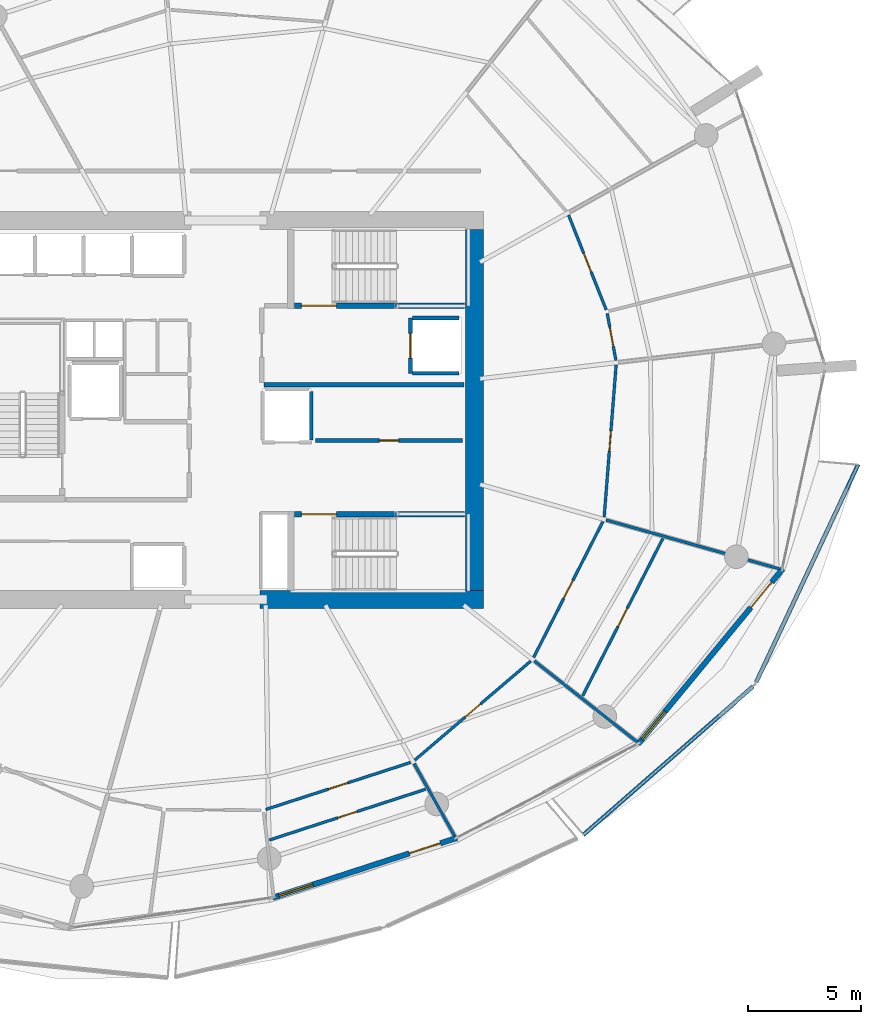
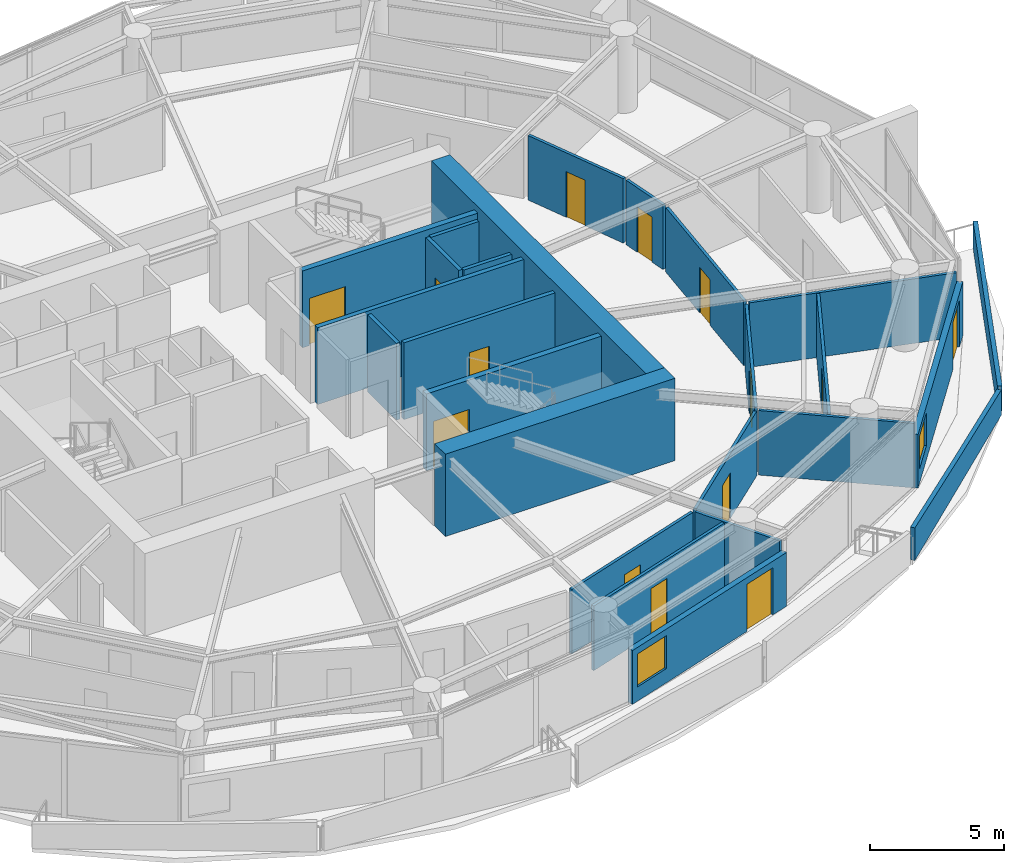
# One storey, part 13 of 20: 25 walls, 14 doors, 2 windows, 16 openings.
"""IFC4 building model written with IfcOpenShell, lengths in metres."""

from ifc_helpers import new_model, si_unit, direction, frame, frame_2d, origin, place, context, subcontext, project, spatial, polyline, rectangle, outline, extrude, material, layer, layer_set, type_object, element, fill, save


model = new_model("IFC4")

# Units and contexts
model_context = context("Model", 3, precision=1e-05, world=origin(), true_north=direction((0.0, 1.0)))
body_context = subcontext(model_context, "Body", "Model", "MODEL_VIEW")
ifc_project = project(units=[si_unit("LENGTHUNIT", "METRE"), si_unit("AREAUNIT", "SQUARE_METRE"), si_unit("VOLUMEUNIT", "CUBIC_METRE"), si_unit("PLANEANGLEUNIT", "RADIAN"), si_unit("MASSUNIT", "GRAM", prefix="KILO")], contexts=[model_context])

# Site, building, storey
site_placement = place(None, origin())
site = spatial("IfcSite", under=ifc_project, at=site_placement, CompositionType="ELEMENT")
building_placement = place(site_placement, origin())
building = spatial("IfcBuilding", under=site, at=building_placement, Name="Kazma Halo Residences", CompositionType="ELEMENT")
storey_placement = place(building_placement, frame((0.0, 0.0, 169.050048828125)))
storey = spatial("IfcBuildingStorey", under=building, at=storey_placement, Name="L42", CompositionType="ELEMENT", Elevation=169.050048828125)

# Walls
ifc_material_1 = material(Name="White Concrete C50/60 Balustrade", Category="concrete")
ifc_layer_1 = layer(ifc_material_1, 0.179931640625)
ifc_layer_set_1 = layer_set([ifc_layer_1], Name="White Concrete C50/60 Balustrade")
wall_type_1 = type_object("IfcWallType", Name="WL-BAL-WAVE-180", PredefinedType="PARAPET", material=ifc_layer_set_1)
wall_1_placement = place(storey_placement, frame((64.28759765625, 23.1640625, 0.0), z_axis=(0.0, 0.0, 1.0), x_axis=(0.752617556845, 0.658457905358, 0.0)))
element("IfcWall", 1, at=wall_1_placement, inside=storey, type_object=wall_type_1, Name="L42 white wave balustrade wall SE.1", PredefinedType="PARAPET", context=body_context, shape_type="SweptSolid", body=[
    extrude(outline(polyline([(0.0, 0.0), (9.99267578125, 0.0), (9.992919921875, 1.14794921875), (4.99658203125, 1.283935546875), (0.0, 1.48291015625), (0.0, 0.0)])), frame((0.0, 0.08984375, 0.0), z_axis=(0.0, -1.0, 0.0), x_axis=(1.0, 0.0, 0.0)), (0.0, 0.0, 1.0), 0.179931640625),
])
wall_2_placement = place(storey_placement, frame((71.94970703125, 29.931640625, 0.0), z_axis=(0.0, 0.0, 1.0), x_axis=(0.424190329226, 0.905573058671, 0.0)))
element("IfcWall", 2, at=wall_2_placement, inside=storey, type_object=wall_type_1, Name="L42 white wave balustrade wall SE.2", PredefinedType="PARAPET", context=body_context, shape_type="SweptSolid", body=[
    extrude(outline(polyline([(0.0, 0.0), (10.6591796875, 0.0), (10.658935546875, 1.223876953125), (5.32958984375, 1.126953125), (0.0, 1.14794921875), (0.0, 0.0)])), frame((0.0, 0.08984375, 0.0), z_axis=(0.0, -1.0, 0.0), x_axis=(1.0, 0.0, 0.0)), (0.0, 0.0, 1.0), 0.179931640625),
])
ifc_material_2 = material(Name="Concrete C80/95", Category="concrete")
ifc_layer_2 = layer(ifc_material_2, 0.800048828125)
ifc_layer_set_2 = layer_set([ifc_layer_2], Name="Concrete C80/95")
wall_type_2 = type_object("IfcWallType", Name="WL-CORE-800", PredefinedType="SHEAR", material=ifc_layer_set_2)
wall_3_placement = place(storey_placement, frame((49.949951171875, 33.60009765625, 0.0), z_axis=(0.0, 0.0, 1.0), x_axis=(1.0, 0.0, 0.0)))
element("IfcWall", 3, at=wall_3_placement, inside=storey, type_object=wall_type_2, Name="L42 central core shear wall SE", PredefinedType="SHEAR", context=body_context, shape_type="SweptSolid", body=[
    extrude(rectangle(XDim=9.900146484375, YDim=0.800048828125, at=frame_2d((4.9501953125, 0.0))), origin(), (0.0, 0.0, 1.0), 3.75),
])
wall_4_placement = place(storey_placement, frame((59.449951171875, 34.0, 0.0), z_axis=(0.0, 0.0, 1.0), x_axis=(0.0, 1.0, 0.0)))
element("IfcWall", 4, at=wall_4_placement, inside=storey, type_object=wall_type_2, Name="L42 central core shear wall E", PredefinedType="SHEAR", context=body_context, shape_type="SweptSolid", body=[
    extrude(rectangle(XDim=16.0, YDim=0.800048828125, at=frame_2d((8.0, 0.0))), origin(), (0.0, 0.0, 1.0), 3.75),
])

# Wall, openings, door, window
ifc_material_3 = material(Name="Insulated Pale-Metal Composite Wall")
ifc_layer_3 = layer(ifc_material_3, 0.239990234375)
ifc_layer_set_3 = layer_set([ifc_layer_3], Name="Insulated Pale-Metal Composite Wall")
wall_type_3 = type_object("IfcWallType", Name="WL-EXT-HOST-240", PredefinedType="SOLIDWALL", material=ifc_layer_set_3)
wall_5_placement = place(storey_placement, frame((50.510009765625, 20.375732421875, 0.0), z_axis=(0.0, 0.0, 1.0), x_axis=(0.951046390632, 0.309048156224, 0.0)))
wall_5 = element("IfcWall", 5, at=wall_5_placement, inside=storey, type_object=wall_type_3, Name="L42 exterior terrace-access wall B12", PredefinedType="SOLIDWALL", context=body_context, shape_type="SweptSolid", body=[
    extrude(rectangle(XDim=8.590087890625, YDim=0.239990234375, at=frame_2d((4.294921875, 0.0))), origin(), (0.0, 0.0, 1.0), 2.449951171875),
])
opening_1_placement = place(wall_5_placement, frame((6.370361328125, 0.0, 0.0)))
opening_1 = element("IfcOpeningElement", 6, at=opening_1_placement, cuts=wall_5, Name="Opening DTR-1600", PredefinedType="OPENING", context=body_context, shape_type="SweptSolid", body=[
    extrude(rectangle(XDim=1.449951171875, YDim=2.14990234375, at=frame_2d((0.72509765625, 1.074951171875))), frame((0.0, 0.1298828125, 0.0), z_axis=(0.0, -1.0, 0.0), x_axis=(1.0, 0.0, 0.0)), (0.0, 0.0, 1.0), 0.260009765625),
])
opening_2_placement = place(wall_5_placement, frame((0.280029296875, 0.0, 0.64990234375)))
opening_2 = element("IfcOpeningElement", 7, at=opening_2_placement, cuts=wall_5, Name="Opening W-1800", PredefinedType="OPENING", context=body_context, shape_type="SweptSolid", body=[
    extrude(rectangle(XDim=1.60009765625, YDim=1.5, at=frame_2d((0.800048828125, 0.75))), frame((0.0, 0.1298828125, 0.0), z_axis=(0.0, -1.0, 0.0), x_axis=(1.0, 0.0, 0.0)), (0.0, 0.0, 1.0), 0.260009765625),
])
ifc_material_4 = material(Name="Aluminium AW-6063 T6 Double-Glazed Terrace Door", Category="aluminium")
door_type_1 = type_object("IfcDoorType", Name="DR-EXT-TERR-1600", OperationType="NOTDEFINED", PredefinedType="DOOR", material=ifc_material_4)
door_1_placement = place(opening_1_placement, origin())
door_1 = element("IfcDoor", 8, at=door_1_placement, inside=storey, type_object=door_type_1, Name="L42 B12 balcony terrace door", OperationType="DOUBLE_DOOR_SLIDING", OverallHeight=2.14990234375, OverallWidth=1.449951171875, PredefinedType="DOOR", context=body_context, shape_type="SweptSolid", body=[
    extrude(rectangle(XDim=1.449951171875, YDim=2.14990234375, at=frame_2d((0.72509765625, 1.074951171875))), frame((0.0, 0.02490234375, 0.0), z_axis=(0.0, -1.0, 0.0), x_axis=(1.0, 0.0, 0.0)), (0.0, 0.0, 1.0), 0.050048828125),
])
fill(opening_1, door_1)
ifc_material_5 = material(Name="Clear Triple-Silver Low-E Glass in Aluminium AW-6063 T6 Frame", Category="aluminium")
window_type = type_object("IfcWindowType", Name="WIN-RES-1800", PartitioningType="DOUBLE_PANEL_VERTICAL", PredefinedType="WINDOW", material=ifc_material_5)
window_1_placement = place(opening_2_placement, origin())
window_1 = element("IfcWindow", 9, at=window_1_placement, inside=storey, type_object=window_type, Name="L42 B12 apartment window", OverallHeight=1.5, OverallWidth=1.60009765625, PartitioningType="SINGLE_PANEL", PredefinedType="WINDOW", context=body_context, shape_type="SweptSolid", body=[
    extrude(rectangle(XDim=1.60009765625, YDim=1.5, at=frame_2d((0.800048828125, 0.75))), frame((0.0, 0.030029296875, 0.0), z_axis=(0.0, -1.0, 0.0), x_axis=(1.0, 0.0, 0.0)), (0.0, 0.0, 1.0), 0.06005859375),
])
fill(opening_2, window_1)

wall_6_placement = place(storey_placement, frame((66.70947265625, 27.18701171875, 0.0), z_axis=(0.0, 0.0, 1.0), x_axis=(0.636771922292, 0.77105221547, 0.0)))
wall_6 = element("IfcWall", 10, at=wall_6_placement, inside=storey, type_object=wall_type_3, Name="L42 exterior terrace-access wall B14", PredefinedType="SOLIDWALL", context=body_context, shape_type="SweptSolid", body=[
    extrude(rectangle(XDim=10.08154296875, YDim=0.239990234375, at=frame_2d((5.040771484375, 0.0))), origin(), (0.0, 0.0, 1.0), 2.449951171875),
])
opening_3_placement = place(wall_6_placement, frame((7.861572265625, 0.0, 0.0)))
opening_3 = element("IfcOpeningElement", 11, at=opening_3_placement, cuts=wall_6, Name="Opening DTR-1600", PredefinedType="OPENING", context=body_context, shape_type="SweptSolid", body=[
    extrude(rectangle(XDim=1.449951171875, YDim=2.14990234375, at=frame_2d((0.72509765625, 1.074951171875))), frame((0.0, 0.1298828125, 0.0), z_axis=(0.0, -1.0, 0.0), x_axis=(1.0, 0.0, 0.0)), (0.0, 0.0, 1.0), 0.260009765625),
])
opening_4_placement = place(wall_6_placement, frame((0.280029296875, 0.0, 0.64990234375)))
opening_4 = element("IfcOpeningElement", 12, at=opening_4_placement, cuts=wall_6, Name="Opening W-1800", PredefinedType="OPENING", context=body_context, shape_type="SweptSolid", body=[
    extrude(rectangle(XDim=1.60009765625, YDim=1.5, at=frame_2d((0.800048828125, 0.75))), frame((0.0, 0.1298828125, 0.0), z_axis=(0.0, -1.0, 0.0), x_axis=(1.0, 0.0, 0.0)), (0.0, 0.0, 1.0), 0.260009765625),
])
door_2_placement = place(opening_3_placement, origin())
door_2 = element("IfcDoor", 13, at=door_2_placement, inside=storey, type_object=door_type_1, Name="L42 B14 balcony terrace door", OperationType="DOUBLE_DOOR_SLIDING", OverallHeight=2.14990234375, OverallWidth=1.449951171875, PredefinedType="DOOR", context=body_context, shape_type="SweptSolid", body=[
    extrude(rectangle(XDim=1.449951171875, YDim=2.14990234375, at=frame_2d((0.72509765625, 1.074951171875))), frame((0.0, 0.02490234375, 0.0), z_axis=(0.0, -1.0, 0.0), x_axis=(1.0, 0.0, 0.0)), (0.0, 0.0, 1.0), 0.050048828125),
])
fill(opening_3, door_2)
window_2_placement = place(opening_4_placement, origin())
window_2 = element("IfcWindow", 14, at=window_2_placement, inside=storey, type_object=window_type, Name="L42 B14 apartment window", OverallHeight=1.5, OverallWidth=1.60009765625, PartitioningType="SINGLE_PANEL", PredefinedType="WINDOW", context=body_context, shape_type="SweptSolid", body=[
    extrude(rectangle(XDim=1.60009765625, YDim=1.5, at=frame_2d((0.800048828125, 0.75))), frame((0.0, 0.030029296875, 0.0), z_axis=(0.0, -1.0, 0.0), x_axis=(1.0, 0.0, 0.0)), (0.0, 0.0, 1.0), 0.06005859375),
])
fill(opening_4, window_2)

# Wall, opening, door
ifc_material_6 = material(Name="Fire-Rated Blockwork Masonry", Category="masonry")
ifc_layer_4 = layer(ifc_material_6, 0.199951171875)
ifc_layer_set_4 = layer_set([ifc_layer_4], Name="Fire-Rated Blockwork Masonry")
wall_type_4 = type_object("IfcWallType", Name="WL-FLB-200", PredefinedType="PARTITIONING", material=ifc_layer_set_4)
wall_7_placement = place(storey_placement, frame((56.6201171875, 46.080078125, 0.0), z_axis=(0.0, 0.0, 1.0), x_axis=(0.0, -1.0, 0.0)))
wall_7 = element("IfcWall", 15, at=wall_7_placement, inside=storey, type_object=wall_type_4, Name="L42 lift shaft FL-02 front wall", PredefinedType="PARTITIONING", context=body_context, shape_type="SweptSolid", body=[
    extrude(rectangle(XDim=2.4599609375, YDim=0.159912109375, at=frame_2d((1.22998046875, 0.0))), origin(), (0.0, 0.0, 1.0), 3.5),
])
opening_5_placement = place(wall_7_placement, frame((0.679931640625, 0.0, 0.0)))
opening_5 = element("IfcOpeningElement", 16, at=opening_5_placement, cuts=wall_7, Name="Opening LD-FL-02", PredefinedType="OPENING", context=body_context, shape_type="SweptSolid", body=[
    extrude(rectangle(XDim=1.10009765625, YDim=2.10009765625, at=frame_2d((0.550048828125, 1.050048828125))), frame((0.0, 0.08984375, 0.0), z_axis=(0.0, -1.0, 0.0), x_axis=(1.0, 0.0, 0.0)), (0.0, 0.0, 1.0), 0.179931640625),
])
ifc_material_7 = material(Name="Stainless Steel Fire-Rated", Category="steel")
door_type_2 = type_object("IfcDoorType", Name="DR-LIFT-SLD-1100", OperationType="DOUBLE_DOOR_SLIDING", PredefinedType="DOOR", material=ifc_material_7)
door_3_placement = place(opening_5_placement, origin())
door_3 = element("IfcDoor", 17, at=door_3_placement, inside=storey, type_object=door_type_2, Name="L42 lift FL-02 sliding landing door", OperationType="DOUBLE_DOOR_SLIDING", OverallHeight=2.10009765625, OverallWidth=1.10009765625, PredefinedType="DOOR", context=body_context, shape_type="SweptSolid", body=[
    extrude(rectangle(XDim=1.10009765625, YDim=2.10009765625, at=frame_2d((0.550048828125, 1.050048828125))), frame((0.0, 0.02490234375, 0.0), z_axis=(0.0, -1.0, 0.0), x_axis=(1.0, 0.0, 0.0)), (0.0, 0.0, 1.0), 0.050048828125),
])
fill(opening_5, door_3)

# Walls
for number, where, z_axis, x_axis, name in (
    (18, (56.719970703125, 46.080078125, 0.0), (0.0, 0.0, 1.0), (1.0, 0.0, 0.0), "L42 lift shaft FL-02 side wall N"),
    (19, (56.719970703125, 43.6201171875, 0.0), (0.0, 0.0, 1.0), (1.0, 0.0, 0.0), "L42 lift shaft FL-02 side wall S"),
):
    element("IfcWall", number, at=place(storey_placement, frame(where, z_axis=z_axis, x_axis=x_axis)), inside=storey, type_object=wall_type_4, Name=name, PredefinedType="PARTITIONING", context=body_context, shape_type="SweptSolid", body=[
        extrude(rectangle(XDim=2.06005859375, YDim=0.159912109375, at=frame_2d((1.030029296875, 0.0))), origin(), (0.0, 0.0, 1.0), 3.5),
    ])
wall_8_placement = place(storey_placement, frame((52.22998046875, 40.669921875, 0.0), z_axis=(0.0, 0.0, 1.0), x_axis=(0.0, 1.0, 0.0)))
element("IfcWall", 20, at=wall_8_placement, inside=storey, type_object=wall_type_4, Name="L42 lift shaft SV-01 side wall E", PredefinedType="PARTITIONING", context=body_context, shape_type="SweptSolid", body=[
    extrude(rectangle(XDim=2.16015625, YDim=0.159912109375, at=frame_2d((1.080078125, 0.0))), origin(), (0.0, 0.0, 1.0), 3.5),
])

# Wall, opening, door
wall_9_placement = place(storey_placement, frame((52.419921875, 40.64990234375, 0.0), z_axis=(0.0, 0.0, 1.0), x_axis=(1.0, 0.0, 0.0)))
wall_9 = element("IfcWall", 21, at=wall_9_placement, inside=storey, type_object=wall_type_4, Name="L42 core east reserve wall", PredefinedType="PARTITIONING", context=body_context, shape_type="SweptSolid", body=[
    extrude(rectangle(XDim=6.5, YDim=0.179931640625, at=frame_2d((3.25, 0.0))), origin(), (0.0, 0.0, 1.0), 3.5),
])
opening_6_placement = place(wall_9_placement, frame((2.824951171875, 0.0, 0.0)))
opening_6 = element("IfcOpeningElement", 22, at=opening_6_placement, cuts=wall_9, Name="Opening DS-850", PredefinedType="OPENING", context=body_context, shape_type="SweptSolid", body=[
    extrude(rectangle(XDim=0.85009765625, YDim=2.06005859375, at=frame_2d((0.425048828125, 1.030029296875))), frame((0.0, 0.099853515625, 0.0), z_axis=(0.0, -1.0, 0.0), x_axis=(1.0, 0.0, 0.0)), (0.0, 0.0, 1.0), 0.199951171875),
])
ifc_material_8 = material(Name="Painted Steel Access Leaf", Category="steel")
door_type_3 = type_object("IfcDoorType", Name="DR-SVC-850", OperationType="NOTDEFINED", PredefinedType="DOOR", material=ifc_material_8)
door_4_placement = place(opening_6_placement, origin())
door_4 = element("IfcDoor", 23, at=door_4_placement, inside=storey, type_object=door_type_3, Name="L42 core east reserve door", OperationType="SINGLE_SWING_LEFT", OverallHeight=2.06005859375, OverallWidth=0.85009765625, PredefinedType="DOOR", context=body_context, shape_type="SweptSolid", body=[
    extrude(rectangle(XDim=0.85009765625, YDim=2.06005859375, at=frame_2d((0.425048828125, 1.030029296875))), frame((0.0, 0.02490234375, 0.0), z_axis=(0.0, -1.0, 0.0), x_axis=(1.0, 0.0, 0.0)), (0.0, 0.0, 1.0), 0.050048828125),
])
fill(opening_6, door_4)

# Wall
wall_10_placement = place(storey_placement, frame((50.1201171875, 43.1201171875, 0.0), z_axis=(0.0, 0.0, 1.0), x_axis=(1.0, 0.0, 0.0)))
element("IfcWall", 24, at=wall_10_placement, inside=storey, type_object=wall_type_4, Name="L42 east firefighting lobby south smoke wall", PredefinedType="PARTITIONING", context=body_context, shape_type="SweptSolid", body=[
    extrude(rectangle(XDim=8.8798828125, YDim=0.199951171875, at=frame_2d((4.43994140625, 0.0))), origin(), (0.0, 0.0, 1.0), 3.5),
])

# Wall, opening, door
ifc_material_9 = material(Name="Gypsum Plasterboard Partition")
ifc_layer_5 = layer(ifc_material_9, 0.125)
ifc_layer_set_5 = layer_set([ifc_layer_5], Name="Gypsum Plasterboard Partition")
wall_type_5 = type_object("IfcWallType", Name="WL-PART-125", PredefinedType="PARTITIONING", material=ifc_layer_set_5)
wall_11_placement = place(storey_placement, frame((50.205078125, 24.287841796875, 0.0), z_axis=(0.0, 0.0, 1.0), x_axis=(0.951056650279, 0.309016582016, 0.0)))
wall_11 = element("IfcWall", 25, at=wall_11_placement, inside=storey, type_object=wall_type_5, Name="L42 Apartment 2 East Study hall wall", PredefinedType="PARTITIONING", context=body_context, shape_type="SweptSolid", body=[
    extrude(rectangle(XDim=6.752685546875, YDim=0.125, at=frame_2d((3.37646484375, 0.0))), origin(), (0.0, 0.0, 1.0), 2.93994140625),
])
opening_7_placement = place(wall_11_placement, frame((2.92626953125, 0.0, 0.0)))
opening_7 = element("IfcOpeningElement", 26, at=opening_7_placement, cuts=wall_11, Name="Opening DI-950", PredefinedType="OPENING", context=body_context, shape_type="SweptSolid", body=[
    extrude(rectangle(XDim=0.89990234375, YDim=2.080078125, at=frame_2d((0.449951171875, 1.0400390625))), frame((0.0, 0.072509765625, 0.0), z_axis=(0.0, -1.0, 0.0), x_axis=(1.0, 0.0, 0.0)), (0.0, 0.0, 1.0), 0.14501953125),
])
ifc_material_10 = material(Name="Timber Veneer Flush Leaf", Category="wood")
door_type_4 = type_object("IfcDoorType", Name="DR-INT-950", OperationType="NOTDEFINED", PredefinedType="DOOR", material=ifc_material_10)
door_5_placement = place(opening_7_placement, origin())
door_5 = element("IfcDoor", 27, at=door_5_placement, inside=storey, type_object=door_type_4, Name="L42 Apartment 2 East Study door", OperationType="SINGLE_SWING_RIGHT", OverallHeight=2.080078125, OverallWidth=0.89990234375, PredefinedType="DOOR", context=body_context, shape_type="SweptSolid", body=[
    extrude(rectangle(XDim=0.89990234375, YDim=2.080078125, at=frame_2d((0.449951171875, 1.0400390625))), frame((0.0, 0.02490234375, 0.0), z_axis=(0.0, -1.0, 0.0), x_axis=(1.0, 0.0, 0.0)), (0.0, 0.0, 1.0), 0.050048828125),
])
fill(opening_7, door_5)

wall_12_placement = place(storey_placement, frame((50.365234375, 22.934326171875, 0.0), z_axis=(0.0, 0.0, 1.0), x_axis=(0.951058941496, 0.309009530274, 0.0)))
wall_12 = element("IfcWall", 28, at=wall_12_placement, inside=storey, type_object=wall_type_5, Name="L42 Apartment 2 West Bedroom divider wall", PredefinedType="PARTITIONING", context=body_context, shape_type="SweptSolid", body=[
    extrude(rectangle(XDim=7.284423828125, YDim=0.125, at=frame_2d((3.64208984375, 0.0))), origin(), (0.0, 0.0, 1.0), 2.93994140625),
])
opening_8_placement = place(wall_12_placement, frame((3.192138671875, 0.0, 0.0)))
opening_8 = element("IfcOpeningElement", 29, at=opening_8_placement, cuts=wall_12, Name="Opening DI-950", PredefinedType="OPENING", context=body_context, shape_type="SweptSolid", body=[
    extrude(rectangle(XDim=0.89990234375, YDim=2.080078125, at=frame_2d((0.449951171875, 1.0400390625))), frame((0.0, 0.072509765625, 0.0), z_axis=(0.0, -1.0, 0.0), x_axis=(1.0, 0.0, 0.0)), (0.0, 0.0, 1.0), 0.14501953125),
])
door_6_placement = place(opening_8_placement, origin())
door_6 = element("IfcDoor", 30, at=door_6_placement, inside=storey, type_object=door_type_4, Name="L42 Apartment 2 West Bedroom door", OperationType="SINGLE_SWING_LEFT", OverallHeight=2.080078125, OverallWidth=0.89990234375, PredefinedType="DOOR", context=body_context, shape_type="SweptSolid", body=[
    extrude(rectangle(XDim=0.89990234375, YDim=2.080078125, at=frame_2d((0.449951171875, 1.0400390625))), frame((0.0, 0.02490234375, 0.0), z_axis=(0.0, -1.0, 0.0), x_axis=(1.0, 0.0, 0.0)), (0.0, 0.0, 1.0), 0.050048828125),
])
fill(opening_8, door_6)

# Wall
wall_13_placement = place(storey_placement, frame((56.780517578125, 26.3212890625, 0.0), z_axis=(0.0, 0.0, 1.0), x_axis=(0.488615541235, -0.872499199348, 0.0)))
element("IfcWall", 31, at=wall_13_placement, inside=storey, type_object=wall_type_5, Name="L42 Apartment 2 radial partition 12", PredefinedType="PARTITIONING", context=body_context, shape_type="SweptSolid", body=[
    extrude(rectangle(XDim=3.66455078125, YDim=0.125, at=frame_2d((1.832275390625, 0.0))), origin(), (0.0, 0.0, 1.0), 2.93994140625),
])

# Wall, opening, door
wall_14_placement = place(storey_placement, frame((56.815185546875, 26.47998046875, 0.0), z_axis=(0.0, 0.0, 1.0), x_axis=(0.760406411553, 0.649447526186, 0.0)))
wall_14 = element("IfcWall", 32, at=wall_14_placement, inside=storey, type_object=wall_type_5, Name="L42 Apartment 2 North Formal Dining Room gallery wall", PredefinedType="PARTITIONING", context=body_context, shape_type="SweptSolid", body=[
    extrude(rectangle(XDim=6.752685546875, YDim=0.125, at=frame_2d((3.37646484375, 0.0))), origin(), (0.0, 0.0, 1.0), 2.93994140625),
])
opening_9_placement = place(wall_14_placement, frame((2.92626953125, 0.0, 0.0)))
opening_9 = element("IfcOpeningElement", 33, at=opening_9_placement, cuts=wall_14, Name="Opening DI-950", PredefinedType="OPENING", context=body_context, shape_type="SweptSolid", body=[
    extrude(rectangle(XDim=0.89990234375, YDim=2.080078125, at=frame_2d((0.449951171875, 1.0400390625))), frame((0.0, 0.072509765625, 0.0), z_axis=(0.0, -1.0, 0.0), x_axis=(1.0, 0.0, 0.0)), (0.0, 0.0, 1.0), 0.14501953125),
])
door_7_placement = place(opening_9_placement, origin())
door_7 = element("IfcDoor", 34, at=door_7_placement, inside=storey, type_object=door_type_4, Name="L42 Apartment 2 North Formal Dining Room door", OperationType="SINGLE_SWING_LEFT", OverallHeight=2.080078125, OverallWidth=0.89990234375, PredefinedType="DOOR", context=body_context, shape_type="SweptSolid", body=[
    extrude(rectangle(XDim=0.89990234375, YDim=2.080078125, at=frame_2d((0.449951171875, 1.0400390625))), frame((0.0, 0.02490234375, 0.0), z_axis=(0.0, -1.0, 0.0), x_axis=(1.0, 0.0, 0.0)), (0.0, 0.0, 1.0), 0.050048828125),
])
fill(opening_9, door_7)

# Wall
wall_15_placement = place(storey_placement, frame((62.112060546875, 30.875, 0.0), z_axis=(0.0, 0.0, 1.0), x_axis=(0.785328664081, -0.619079065526, 0.0)))
element("IfcWall", 35, at=wall_15_placement, inside=storey, type_object=wall_type_5, Name="L42 Apartment 2 radial partition 13", PredefinedType="PARTITIONING", context=body_context, shape_type="SweptSolid", body=[
    extrude(rectangle(XDim=5.86962890625, YDim=0.125, at=frame_2d((2.934814453125, 0.0))), origin(), (0.0, 0.0, 1.0), 2.93994140625),
])

# Wall, opening, door
wall_16_placement = place(storey_placement, frame((62.08349609375, 31.034912109375, 0.0), z_axis=(0.0, 0.0, 1.0), x_axis=(0.453997813939, 0.89100279738, 0.0)))
wall_16 = element("IfcWall", 36, at=wall_16_placement, inside=storey, type_object=wall_type_5, Name="L42 Apartment 2 South Study hall wall", PredefinedType="PARTITIONING", context=body_context, shape_type="SweptSolid", body=[
    extrude(rectangle(XDim=6.752685546875, YDim=0.125, at=frame_2d((3.37646484375, 0.0))), origin(), (0.0, 0.0, 1.0), 2.93994140625),
])
opening_10_placement = place(wall_16_placement, frame((2.92626953125, 0.0, 0.0)))
opening_10 = element("IfcOpeningElement", 37, at=opening_10_placement, cuts=wall_16, Name="Opening DI-950", PredefinedType="OPENING", context=body_context, shape_type="SweptSolid", body=[
    extrude(rectangle(XDim=0.89990234375, YDim=2.080078125, at=frame_2d((0.449951171875, 1.0400390625))), frame((0.0, 0.072509765625, 0.0), z_axis=(0.0, -1.0, 0.0), x_axis=(1.0, 0.0, 0.0)), (0.0, 0.0, 1.0), 0.14501953125),
])
door_8_placement = place(opening_10_placement, origin())
door_8 = element("IfcDoor", 38, at=door_8_placement, inside=storey, type_object=door_type_4, Name="L42 Apartment 2 South Study door", OperationType="SINGLE_SWING_RIGHT", OverallHeight=2.080078125, OverallWidth=0.89990234375, PredefinedType="DOOR", context=body_context, shape_type="SweptSolid", body=[
    extrude(rectangle(XDim=0.89990234375, YDim=2.080078125, at=frame_2d((0.449951171875, 1.0400390625))), frame((0.0, 0.02490234375, 0.0), z_axis=(0.0, -1.0, 0.0), x_axis=(1.0, 0.0, 0.0)), (0.0, 0.0, 1.0), 0.050048828125),
])
fill(opening_10, door_8)

wall_17_placement = place(storey_placement, frame((64.252685546875, 29.324951171875, 0.0), z_axis=(0.0, 0.0, 1.0), x_axis=(0.454010321108, 0.890996424419, 0.0)))
wall_17 = element("IfcWall", 39, at=wall_17_placement, inside=storey, type_object=wall_type_5, Name="L42 Apartment 2 Inner Master Bedroom divider wall", PredefinedType="PARTITIONING", context=body_context, shape_type="SweptSolid", body=[
    extrude(rectangle(XDim=7.830078125, YDim=0.125, at=frame_2d((3.9150390625, 0.0))), origin(), (0.0, 0.0, 1.0), 2.93994140625),
])
opening_11_placement = place(wall_17_placement, frame((3.465087890625, 0.0, 0.0)))
opening_11 = element("IfcOpeningElement", 40, at=opening_11_placement, cuts=wall_17, Name="Opening DI-950", PredefinedType="OPENING", context=body_context, shape_type="SweptSolid", body=[
    extrude(rectangle(XDim=0.89990234375, YDim=2.080078125, at=frame_2d((0.449951171875, 1.0400390625))), frame((0.0, 0.072509765625, 0.0), z_axis=(0.0, -1.0, 0.0), x_axis=(1.0, 0.0, 0.0)), (0.0, 0.0, 1.0), 0.14501953125),
])
door_9_placement = place(opening_11_placement, origin())
door_9 = element("IfcDoor", 41, at=door_9_placement, inside=storey, type_object=door_type_4, Name="L42 Apartment 2 Inner Master Bedroom door", OperationType="SINGLE_SWING_LEFT", OverallHeight=2.080078125, OverallWidth=0.89990234375, PredefinedType="DOOR", context=body_context, shape_type="SweptSolid", body=[
    extrude(rectangle(XDim=0.89990234375, YDim=2.080078125, at=frame_2d((0.449951171875, 1.0400390625))), frame((0.0, 0.02490234375, 0.0), z_axis=(0.0, -1.0, 0.0), x_axis=(1.0, 0.0, 0.0)), (0.0, 0.0, 1.0), 0.050048828125),
])
fill(opening_11, door_9)

# Wall
wall_18_placement = place(storey_placement, frame((65.29541015625, 37.122314453125, 0.0), z_axis=(0.0, 0.0, 1.0), x_axis=(0.962453364466, -0.271447087346, 0.0)))
element("IfcWall", 42, at=wall_18_placement, inside=storey, type_object=wall_type_5, Name="L42 Apartment 2 radial partition 14", PredefinedType="PARTITIONING", context=body_context, shape_type="SweptSolid", body=[
    extrude(rectangle(XDim=7.981201171875, YDim=0.125, at=frame_2d((3.99072265625, 0.0))), origin(), (0.0, 0.0, 1.0), 2.93994140625),
])

# Wall, opening, door
wall_19_placement = place(storey_placement, frame((65.207763671875, 37.259033203125, 0.0), z_axis=(0.0, 0.0, 1.0), x_axis=(0.078457580711, 0.996917452966, 0.0)))
wall_19 = element("IfcWall", 43, at=wall_19_placement, inside=storey, type_object=wall_type_5, Name="L42 Apartment 2 Outer Study hall wall", PredefinedType="PARTITIONING", context=body_context, shape_type="SweptSolid", body=[
    extrude(rectangle(XDim=6.75244140625, YDim=0.125, at=frame_2d((3.376220703125, 0.0))), origin(), (0.0, 0.0, 1.0), 2.93994140625),
])
opening_12_placement = place(wall_19_placement, frame((2.92626953125, 0.0, 0.0)))
opening_12 = element("IfcOpeningElement", 44, at=opening_12_placement, cuts=wall_19, Name="Opening DI-950", PredefinedType="OPENING", context=body_context, shape_type="SweptSolid", body=[
    extrude(rectangle(XDim=0.89990234375, YDim=2.080078125, at=frame_2d((0.449951171875, 1.0400390625))), frame((0.0, 0.072509765625, 0.0), z_axis=(0.0, -1.0, 0.0), x_axis=(1.0, 0.0, 0.0)), (0.0, 0.0, 1.0), 0.14501953125),
])
door_10_placement = place(opening_12_placement, origin())
door_10 = element("IfcDoor", 45, at=door_10_placement, inside=storey, type_object=door_type_4, Name="L42 Apartment 2 Outer Study door", OperationType="SINGLE_SWING_LEFT", OverallHeight=2.080078125, OverallWidth=0.89990234375, PredefinedType="DOOR", context=body_context, shape_type="SweptSolid", body=[
    extrude(rectangle(XDim=0.89990234375, YDim=2.080078125, at=frame_2d((0.449951171875, 1.0400390625))), frame((0.0, 0.02490234375, 0.0), z_axis=(0.0, -1.0, 0.0), x_axis=(1.0, 0.0, 0.0)), (0.0, 0.0, 1.0), 0.050048828125),
])
fill(opening_12, door_10)

wall_20_placement = place(storey_placement, frame((65.72802734375, 44.19873046875, 0.0), z_axis=(0.0, 0.0, 1.0), x_axis=(-0.181256219824, 0.983435906796, 0.0)))
wall_20 = element("IfcWall", 46, at=wall_20_placement, inside=storey, type_object=wall_type_5, Name="L42 Apartment 2 Garden Wine Pantry Store hall wall", PredefinedType="PARTITIONING", context=body_context, shape_type="SweptSolid", body=[
    extrude(rectangle(XDim=2.1201171875, YDim=0.125, at=frame_2d((1.06005859375, 0.0))), origin(), (0.0, 0.0, 1.0), 2.93994140625),
])
opening_13_placement = place(wall_20_placement, frame((0.635009765625, 0.0, 0.0)))
opening_13 = element("IfcOpeningElement", 47, at=opening_13_placement, cuts=wall_20, Name="Opening DB-900", PredefinedType="OPENING", context=body_context, shape_type="SweptSolid", body=[
    extrude(rectangle(XDim=0.85009765625, YDim=2.06005859375, at=frame_2d((0.425048828125, 1.030029296875))), frame((0.0, 0.072509765625, 0.0), z_axis=(0.0, -1.0, 0.0), x_axis=(1.0, 0.0, 0.0)), (0.0, 0.0, 1.0), 0.14501953125),
])
ifc_material_11 = material(Name="Moisture-Sealed Timber Leaf", Category="wood")
door_type_5 = type_object("IfcDoorType", Name="DR-BTH-900", OperationType="NOTDEFINED", PredefinedType="DOOR", material=ifc_material_11)
door_11_placement = place(opening_13_placement, origin())
door_11 = element("IfcDoor", 48, at=door_11_placement, inside=storey, type_object=door_type_5, Name="L42 Apartment 2 Garden Wine Pantry Store door", OperationType="SINGLE_SWING_RIGHT", OverallHeight=2.06005859375, OverallWidth=0.85009765625, PredefinedType="DOOR", context=body_context, shape_type="SweptSolid", body=[
    extrude(rectangle(XDim=0.85009765625, YDim=2.06005859375, at=frame_2d((0.425048828125, 1.030029296875))), frame((0.0, 0.02490234375, 0.0), z_axis=(0.0, -1.0, 0.0), x_axis=(1.0, 0.0, 0.0)), (0.0, 0.0, 1.0), 0.050048828125),
])
fill(opening_13, door_11)

wall_21_placement = place(storey_placement, frame((65.2998046875, 46.436767578125, 0.0), z_axis=(0.0, 0.0, 1.0), x_axis=(-0.369584254435, 0.929197222808, 0.0)))
wall_21 = element("IfcWall", 49, at=wall_21_placement, inside=storey, type_object=wall_type_5, Name="L42 Apartment 2 Sky Formal Dining Room hall wall", PredefinedType="PARTITIONING", context=body_context, shape_type="SweptSolid", body=[
    extrude(rectangle(XDim=4.5224609375, YDim=0.125, at=frame_2d((2.26123046875, 0.0))), origin(), (0.0, 0.0, 1.0), 2.93994140625),
])
opening_14_placement = place(wall_21_placement, frame((1.81103515625, 0.0, 0.0)))
opening_14 = element("IfcOpeningElement", 50, at=opening_14_placement, cuts=wall_21, Name="Opening DI-950", PredefinedType="OPENING", context=body_context, shape_type="SweptSolid", body=[
    extrude(rectangle(XDim=0.89990234375, YDim=2.080078125, at=frame_2d((0.449951171875, 1.0400390625))), frame((0.0, 0.072509765625, 0.0), z_axis=(0.0, -1.0, 0.0), x_axis=(1.0, 0.0, 0.0)), (0.0, 0.0, 1.0), 0.14501953125),
])
door_12_placement = place(opening_14_placement, origin())
door_12 = element("IfcDoor", 51, at=door_12_placement, inside=storey, type_object=door_type_4, Name="L42 Apartment 2 Sky Formal Dining Room door", OperationType="SINGLE_SWING_LEFT", OverallHeight=2.080078125, OverallWidth=0.89990234375, PredefinedType="DOOR", context=body_context, shape_type="SweptSolid", body=[
    extrude(rectangle(XDim=0.89990234375, YDim=2.080078125, at=frame_2d((0.449951171875, 1.0400390625))), frame((0.0, 0.02490234375, 0.0), z_axis=(0.0, -1.0, 0.0), x_axis=(1.0, 0.0, 0.0)), (0.0, 0.0, 1.0), 0.050048828125),
])
fill(opening_14, door_12)

ifc_material_12 = material(Name="Concrete C50/60", Category="concrete")
ifc_layer_6 = layer(ifc_material_12, 0.25)
ifc_layer_set_6 = layer_set([ifc_layer_6], Name="Concrete C50/60")
wall_type_6 = type_object("IfcWallType", Name="WL-SHF-250", PredefinedType="SOLIDWALL", material=ifc_layer_set_6)
wall_22_placement = place(storey_placement, frame((51.47998046875, 46.6201171875, 0.0), z_axis=(0.0, 0.0, 1.0), x_axis=(1.0, 0.0, 0.0)))
wall_22 = element("IfcWall", 52, at=wall_22_placement, inside=storey, type_object=wall_type_6, Name="L42 exit stair ST-02 enclosure wall", PredefinedType="SOLIDWALL", context=body_context, shape_type="SweptSolid", body=[
    extrude(rectangle(XDim=7.5400390625, YDim=0.25, at=frame_2d((3.77001953125, 0.0))), origin(), (0.0, 0.0, 1.0), 3.5),
])
opening_15_placement = place(wall_22_placement, frame((0.300048828125, 0.0, 0.0)))
opening_15 = element("IfcOpeningElement", 53, at=opening_15_placement, cuts=wall_22, Name="Opening D-ST2", PredefinedType="OPENING", context=body_context, shape_type="SweptSolid", body=[
    extrude(rectangle(XDim=1.550048828125, YDim=2.14990234375, at=frame_2d((0.77490234375, 1.074951171875))), frame((0.0, 0.135009765625, 0.0), z_axis=(0.0, -1.0, 0.0), x_axis=(1.0, 0.0, 0.0)), (0.0, 0.0, 1.0), 0.27001953125),
])
ifc_material_13 = material(Name="Fire-Rated Double Steel Leaf", Category="steel")
door_type_6 = type_object("IfcDoorType", Name="DR-FD90-1550", OperationType="NOTDEFINED", PredefinedType="DOOR", material=ifc_material_13)
door_13_placement = place(opening_15_placement, origin())
door_13 = element("IfcDoor", 54, at=door_13_placement, inside=storey, type_object=door_type_6, Name="L42 exit stair ST-02 fire door", OperationType="DOUBLE_DOOR_SINGLE_SWING", OverallHeight=2.14990234375, OverallWidth=1.550048828125, PredefinedType="DOOR", context=body_context, shape_type="SweptSolid", body=[
    extrude(rectangle(XDim=1.550048828125, YDim=2.14990234375, at=frame_2d((0.77490234375, 1.074951171875))), frame((0.0, 0.02490234375, 0.0), z_axis=(0.0, -1.0, 0.0), x_axis=(1.0, 0.0, 0.0)), (0.0, 0.0, 1.0), 0.050048828125),
])
fill(opening_15, door_13)

wall_23_placement = place(storey_placement, frame((51.47998046875, 37.3798828125, 0.0), z_axis=(0.0, 0.0, 1.0), x_axis=(1.0, 0.0, 0.0)))
wall_23 = element("IfcWall", 55, at=wall_23_placement, inside=storey, type_object=wall_type_6, Name="L42 exit stair ST-03 enclosure wall", PredefinedType="SOLIDWALL", context=body_context, shape_type="SweptSolid", body=[
    extrude(rectangle(XDim=7.5400390625, YDim=0.25, at=frame_2d((3.77001953125, 0.0))), origin(), (0.0, 0.0, 1.0), 3.5),
])
opening_16_placement = place(wall_23_placement, frame((0.300048828125, 0.0, 0.0)))
opening_16 = element("IfcOpeningElement", 56, at=opening_16_placement, cuts=wall_23, Name="Opening D-ST3", PredefinedType="OPENING", context=body_context, shape_type="SweptSolid", body=[
    extrude(rectangle(XDim=1.550048828125, YDim=2.14990234375, at=frame_2d((0.77490234375, 1.074951171875))), frame((0.0, 0.135009765625, 0.0), z_axis=(0.0, -1.0, 0.0), x_axis=(1.0, 0.0, 0.0)), (0.0, 0.0, 1.0), 0.27001953125),
])
door_14_placement = place(opening_16_placement, origin())
door_14 = element("IfcDoor", 57, at=door_14_placement, inside=storey, type_object=door_type_6, Name="L42 exit stair ST-03 fire door", OperationType="DOUBLE_DOOR_SINGLE_SWING", OverallHeight=2.14990234375, OverallWidth=1.550048828125, PredefinedType="DOOR", context=body_context, shape_type="SweptSolid", body=[
    extrude(rectangle(XDim=1.550048828125, YDim=2.14990234375, at=frame_2d((0.77490234375, 1.074951171875))), frame((0.0, 0.02490234375, 0.0), z_axis=(0.0, -1.0, 0.0), x_axis=(1.0, 0.0, 0.0)), (0.0, 0.0, 1.0), 0.050048828125),
])
fill(opening_16, door_14)

save(model, "model.ifc")
